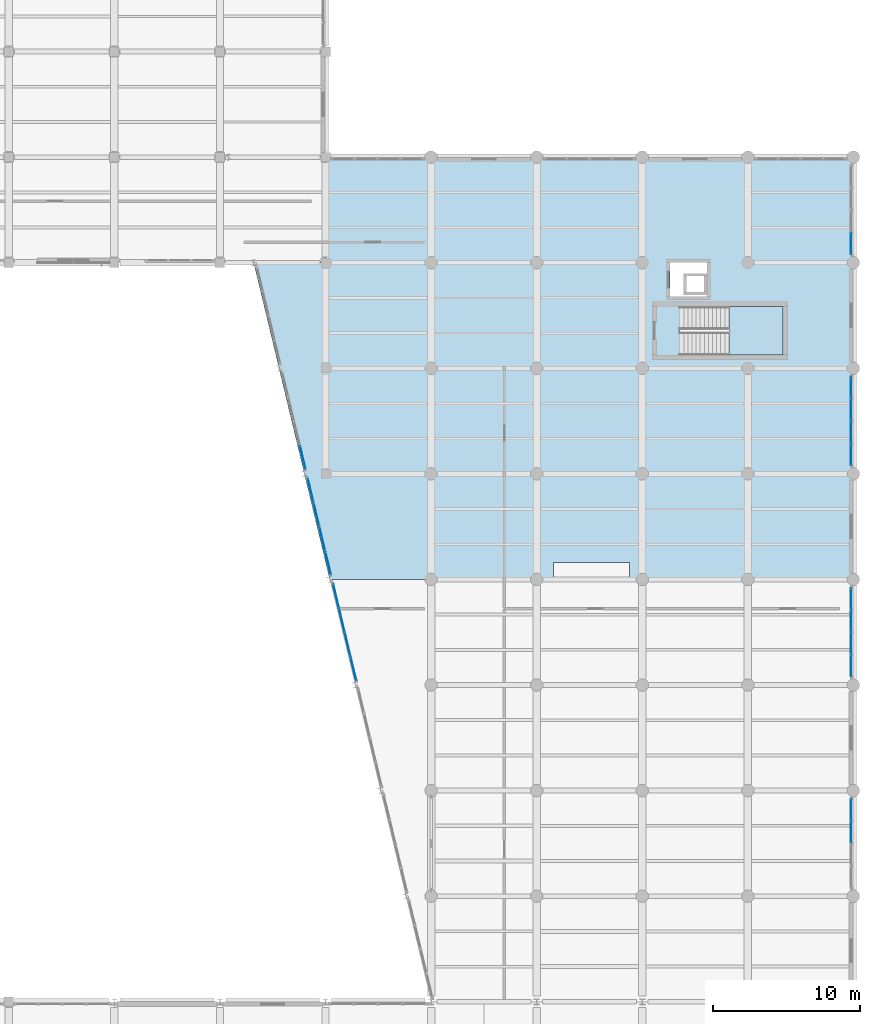
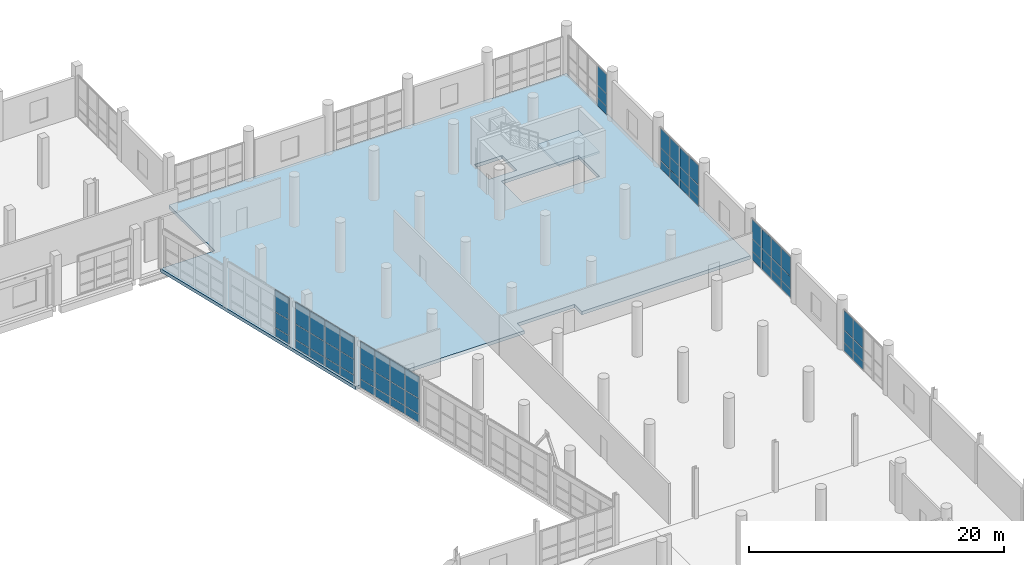
# One storey, part 86 of 127: 60 plates, 2 slabs, 8 elements without a shape of their own.
"""IFC4 building model written with IfcOpenShell, lengths in metres."""

from ifc_helpers import new_model, si_unit, direction, frame, origin, origin_2d, place, context, subcontext, project, spatial, polyline, rectangle, outline, extrude, material, layer, layer_set, type_object, element, aggregate, save


model = new_model("IFC4")

# Units and contexts
model_context = context("Model", 3, precision=1e-05, world=origin(), true_north=direction((0.0, 1.0)))
body_context = subcontext(model_context, "Body", "Model", "MODEL_VIEW")
ifc_project = project(units=[si_unit("LENGTHUNIT", "METRE"), si_unit("AREAUNIT", "SQUARE_METRE"), si_unit("VOLUMEUNIT", "CUBIC_METRE"), si_unit("PLANEANGLEUNIT", "RADIAN"), si_unit("MASSUNIT", "GRAM", prefix="KILO")], contexts=[model_context])

# Site, building, storey
site_placement = place(None, origin())
site = spatial("IfcSite", under=ifc_project, at=site_placement, CompositionType="ELEMENT")
building_placement = place(site_placement, origin())
building = spatial("IfcBuilding", under=site, at=building_placement, Name="Kalmorath City Hall", CompositionType="ELEMENT")
storey_placement = place(building_placement, frame((0.0, 0.0, 5.39990234375)))
storey = spatial("IfcBuildingStorey", under=building, at=storey_placement, Name="L01", CompositionType="ELEMENT", Elevation=5.39990234375)

# Slab
ifc_material_1 = material(Name="Concrete C40/50", Category="concrete")
ifc_layer_1 = layer(ifc_material_1, 0.320068359375)
ifc_layer_set_1 = layer_set([ifc_layer_1], Name="Concrete C40/50")
slab_type_1 = type_object("IfcSlabType", Name="Concrete heavy assembly floor slab 320", PredefinedType="FLOOR", material=ifc_layer_set_1)
slab_1_placement = place(storey_placement, frame((0.0, 0.0, -0.31982421875)))
element("IfcSlab", 1, at=slab_1_placement, inside=storey, type_object=slab_type_1, Name="L01 Members Library Pavilion slab FS3-2", PredefinedType="FLOOR", context=body_context, shape_type="SweptSolid", body=[
    extrude(outline(polyline([(165.60009765625, 100.800048828125), (165.60009765625, 72.0), (150.3427734375, 72.0), (150.3427734375, 73.14990234375), (145.142822265625, 73.14990234375), (145.142822265625, 72.0), (129.885498046875, 72.0), (124.69970703125, 93.60009765625), (129.60009765625, 93.60009765625), (129.60009765625, 100.800048828125), (165.60009765625, 100.800048828125)]), holes=[polyline([(153.7900390625, 87.300048828125), (160.800048828125, 87.300048828125), (160.800048828125, 90.60009765625), (153.7900390625, 90.60009765625), (153.7900390625, 87.300048828125)]), polyline([(153.10009765625, 93.60009765625), (153.10009765625, 91.300048828125), (155.60009765625, 91.300048828125), (155.60009765625, 93.60009765625), (153.10009765625, 93.60009765625)])]), origin(), (0.0, 0.0, 1.0), 0.31982421875),
])

# Stair, slab
ifc_material_2 = material(Name="Concrete C40/50", Category="concrete")
stair_type = type_object("IfcStairType", Name="Dogleg concrete exit stair 26R x 185mm W1550", PredefinedType="HALF_TURN_STAIR", material=ifc_material_2)
stair_placement = place(storey_placement, origin())
stair = element("IfcStair", 2, at=stair_placement, inside=storey, type_object=stair_type, Name="L01 Protected exit stair ST-6", PredefinedType="HALF_TURN_STAIR")
ifc_material_3 = material(Name="Concrete C40/50", Category="concrete")
ifc_layer_2 = layer(ifc_material_3, 0.199951171875)
ifc_layer_set_2 = layer_set([ifc_layer_2], Name="Concrete C40/50")
slab_type_2 = type_object("IfcSlabType", Name="Concrete stair half-landing slab 200", PredefinedType="LANDING", material=ifc_layer_set_2)
slab_2_placement = place(storey_placement, frame((0.0, 0.0, 2.2001953125)))
slab_2 = element("IfcSlab", 3, at=slab_2_placement, type_object=slab_type_2, Name="ST-6 landing 1", PredefinedType="LANDING", context=body_context, shape_type="SweptSolid", body=[
    extrude(outline(polyline([(157.110107421875, 87.300048828125), (160.800048828125, 87.300048828125), (160.800048828125, 90.60009765625), (157.110107421875, 90.60009765625), (157.110107421875, 87.300048828125)])), origin(), (0.0, 0.0, 1.0), 0.199951171875),
])
aggregate(stair, [slab_2])

# Curtain wall, plates
ifc_material_4 = material(Name="Anodised aluminium and laminated glass", Category="aluminium")
curtain_wall_type_1 = type_object("IfcCurtainWallType", Name="Unitised hurricane curtain wall 6170x3976 M1650", PredefinedType="NOTDEFINED", material=ifc_material_4)
curtain_wall_1_placement = place(storey_placement, origin())
curtain_wall_1 = element("IfcCurtainWall", 4, at=curtain_wall_1_placement, inside=storey, type_object=curtain_wall_type_1, Name="L01 curtain wall CW-62X40M16 #63", PredefinedType="NOTDEFINED")
ifc_material_5 = material(Name="Hurricane laminated low-E glass", Category="glass")
ifc_layer_3 = layer(ifc_material_5, 0.035888671875)
ifc_layer_set_3 = layer_set([ifc_layer_3], Name="Hurricane laminated low-E glass")
plate_type = type_object("IfcPlateType", Name="Library acoustic low-E glazed panel 36", PredefinedType="CURTAIN_PANEL", material=ifc_layer_set_3)
plate_1_placement = place(storey_placement, frame((165.43994140625, 94.905029296875, 0.06005859375), z_axis=(0.0, 0.0, 1.0), x_axis=(0.0, -1.0, 0.0)))
plate_1 = element("IfcPlate", 5, at=plate_1_placement, type_object=plate_type, Name="CW-62X40M16 panel 4.1", PredefinedType="CURTAIN_PANEL", context=body_context, shape_type="SweptSolid", body=[
    extrude(rectangle(XDim=1.429931640625, YDim=0.035888671875, at=origin_2d()), origin(), (0.0, 0.0, 1.0), 0.760009765625),
])
plate_2_placement = place(storey_placement, frame((165.43994140625, 94.905029296875, 0.8798828125), z_axis=(0.0, 0.0, 1.0), x_axis=(0.0, -1.0, 0.0)))
plate_2 = element("IfcPlate", 6, at=plate_2_placement, type_object=plate_type, Name="CW-62X40M16 panel 4.2", PredefinedType="CURTAIN_PANEL", context=body_context, shape_type="SweptSolid", body=[
    extrude(rectangle(XDim=1.429931640625, YDim=0.035888671875, at=origin_2d()), origin(), (0.0, 0.0, 1.0), 1.157958984375),
])
plate_3_placement = place(storey_placement, frame((165.43994140625, 94.905029296875, 2.09814453125), z_axis=(0.0, 0.0, 1.0), x_axis=(0.0, -1.0, 0.0)))
plate_3 = element("IfcPlate", 7, at=plate_3_placement, type_object=plate_type, Name="CW-62X40M16 panel 4.3", PredefinedType="CURTAIN_PANEL", context=body_context, shape_type="SweptSolid", body=[
    extrude(rectangle(XDim=1.429931640625, YDim=0.035888671875, at=origin_2d()), origin(), (0.0, 0.0, 1.0), 1.818115234375),
])
aggregate(curtain_wall_1, [plate_1, plate_2, plate_3])

curtain_wall_2_placement = place(storey_placement, origin())
curtain_wall_2 = element("IfcCurtainWall", 8, at=curtain_wall_2_placement, inside=storey, type_object=curtain_wall_type_1, Name="L01 curtain wall CW-62X40M16 #64", PredefinedType="NOTDEFINED")
plate_4_placement = place(storey_placement, frame((165.43994140625, 85.094970703125, 0.06005859375), z_axis=(0.0, 0.0, 1.0), x_axis=(0.0, -1.0, 0.0)))
plate_4 = element("IfcPlate", 9, at=plate_4_placement, type_object=plate_type, Name="CW-62X40M16 panel 1.1", PredefinedType="CURTAIN_PANEL", context=body_context, shape_type="SweptSolid", body=[
    extrude(rectangle(XDim=1.429931640625, YDim=0.035888671875, at=origin_2d()), origin(), (0.0, 0.0, 1.0), 0.760009765625),
])
plate_5_placement = place(storey_placement, frame((165.43994140625, 85.094970703125, 0.8798828125), z_axis=(0.0, 0.0, 1.0), x_axis=(0.0, -1.0, 0.0)))
plate_5 = element("IfcPlate", 10, at=plate_5_placement, type_object=plate_type, Name="CW-62X40M16 panel 1.2", PredefinedType="CURTAIN_PANEL", context=body_context, shape_type="SweptSolid", body=[
    extrude(rectangle(XDim=1.429931640625, YDim=0.035888671875, at=origin_2d()), origin(), (0.0, 0.0, 1.0), 1.157958984375),
])
plate_6_placement = place(storey_placement, frame((165.43994140625, 85.094970703125, 2.09814453125), z_axis=(0.0, 0.0, 1.0), x_axis=(0.0, -1.0, 0.0)))
plate_6 = element("IfcPlate", 11, at=plate_6_placement, type_object=plate_type, Name="CW-62X40M16 panel 1.3", PredefinedType="CURTAIN_PANEL", context=body_context, shape_type="SweptSolid", body=[
    extrude(rectangle(XDim=1.429931640625, YDim=0.035888671875, at=origin_2d()), origin(), (0.0, 0.0, 1.0), 1.818115234375),
])
plate_7_placement = place(storey_placement, frame((165.43994140625, 83.5712890625, 0.06005859375), z_axis=(0.0, 0.0, 1.0), x_axis=(0.0, -1.0, 0.0)))
plate_7 = element("IfcPlate", 12, at=plate_7_placement, type_object=plate_type, Name="CW-62X40M16 panel 2.1", PredefinedType="CURTAIN_PANEL", context=body_context, shape_type="SweptSolid", body=[
    extrude(rectangle(XDim=1.467529296875, YDim=0.035888671875, at=origin_2d()), origin(), (0.0, 0.0, 1.0), 0.760009765625),
])
plate_8_placement = place(storey_placement, frame((165.43994140625, 83.5712890625, 0.8798828125), z_axis=(0.0, 0.0, 1.0), x_axis=(0.0, -1.0, 0.0)))
plate_8 = element("IfcPlate", 13, at=plate_8_placement, type_object=plate_type, Name="CW-62X40M16 panel 2.2", PredefinedType="CURTAIN_PANEL", context=body_context, shape_type="SweptSolid", body=[
    extrude(rectangle(XDim=1.467529296875, YDim=0.035888671875, at=origin_2d()), origin(), (0.0, 0.0, 1.0), 1.157958984375),
])
plate_9_placement = place(storey_placement, frame((165.43994140625, 83.5712890625, 2.09814453125), z_axis=(0.0, 0.0, 1.0), x_axis=(0.0, -1.0, 0.0)))
plate_9 = element("IfcPlate", 14, at=plate_9_placement, type_object=plate_type, Name="CW-62X40M16 panel 2.3", PredefinedType="CURTAIN_PANEL", context=body_context, shape_type="SweptSolid", body=[
    extrude(rectangle(XDim=1.467529296875, YDim=0.035888671875, at=origin_2d()), origin(), (0.0, 0.0, 1.0), 1.818115234375),
])
plate_10_placement = place(storey_placement, frame((165.43994140625, 82.02880859375, 0.06005859375), z_axis=(0.0, 0.0, 1.0), x_axis=(0.0, -1.0, 0.0)))
plate_10 = element("IfcPlate", 15, at=plate_10_placement, type_object=plate_type, Name="CW-62X40M16 panel 3.1", PredefinedType="CURTAIN_PANEL", context=body_context, shape_type="SweptSolid", body=[
    extrude(rectangle(XDim=1.467529296875, YDim=0.035888671875, at=origin_2d()), origin(), (0.0, 0.0, 1.0), 0.760009765625),
])
plate_11_placement = place(storey_placement, frame((165.43994140625, 82.02880859375, 0.8798828125), z_axis=(0.0, 0.0, 1.0), x_axis=(0.0, -1.0, 0.0)))
plate_11 = element("IfcPlate", 16, at=plate_11_placement, type_object=plate_type, Name="CW-62X40M16 panel 3.2", PredefinedType="CURTAIN_PANEL", context=body_context, shape_type="SweptSolid", body=[
    extrude(rectangle(XDim=1.467529296875, YDim=0.035888671875, at=origin_2d()), origin(), (0.0, 0.0, 1.0), 1.157958984375),
])
plate_12_placement = place(storey_placement, frame((165.43994140625, 82.02880859375, 2.09814453125), z_axis=(0.0, 0.0, 1.0), x_axis=(0.0, -1.0, 0.0)))
plate_12 = element("IfcPlate", 17, at=plate_12_placement, type_object=plate_type, Name="CW-62X40M16 panel 3.3", PredefinedType="CURTAIN_PANEL", context=body_context, shape_type="SweptSolid", body=[
    extrude(rectangle(XDim=1.467529296875, YDim=0.035888671875, at=origin_2d()), origin(), (0.0, 0.0, 1.0), 1.818115234375),
])
plate_13_placement = place(storey_placement, frame((165.43994140625, 80.5048828125, 0.06005859375), z_axis=(0.0, 0.0, 1.0), x_axis=(0.0, -1.0, 0.0)))
plate_13 = element("IfcPlate", 18, at=plate_13_placement, type_object=plate_type, Name="CW-62X40M16 panel 4.1", PredefinedType="CURTAIN_PANEL", context=body_context, shape_type="SweptSolid", body=[
    extrude(rectangle(XDim=1.429931640625, YDim=0.035888671875, at=origin_2d()), origin(), (0.0, 0.0, 1.0), 0.760009765625),
])
plate_14_placement = place(storey_placement, frame((165.43994140625, 80.5048828125, 0.8798828125), z_axis=(0.0, 0.0, 1.0), x_axis=(0.0, -1.0, 0.0)))
plate_14 = element("IfcPlate", 19, at=plate_14_placement, type_object=plate_type, Name="CW-62X40M16 panel 4.2", PredefinedType="CURTAIN_PANEL", context=body_context, shape_type="SweptSolid", body=[
    extrude(rectangle(XDim=1.429931640625, YDim=0.035888671875, at=origin_2d()), origin(), (0.0, 0.0, 1.0), 1.157958984375),
])
plate_15_placement = place(storey_placement, frame((165.43994140625, 80.5048828125, 2.09814453125), z_axis=(0.0, 0.0, 1.0), x_axis=(0.0, -1.0, 0.0)))
plate_15 = element("IfcPlate", 20, at=plate_15_placement, type_object=plate_type, Name="CW-62X40M16 panel 4.3", PredefinedType="CURTAIN_PANEL", context=body_context, shape_type="SweptSolid", body=[
    extrude(rectangle(XDim=1.429931640625, YDim=0.035888671875, at=origin_2d()), origin(), (0.0, 0.0, 1.0), 1.818115234375),
])
aggregate(curtain_wall_2, [plate_4, plate_5, plate_6, plate_7, plate_8, plate_9, plate_10, plate_11, plate_12, plate_13, plate_14, plate_15])

curtain_wall_3_placement = place(storey_placement, origin())
curtain_wall_3 = element("IfcCurtainWall", 21, at=curtain_wall_3_placement, inside=storey, type_object=curtain_wall_type_1, Name="L01 curtain wall CW-62X40M16 #65", PredefinedType="NOTDEFINED")
plate_16_placement = place(storey_placement, frame((165.43994140625, 70.695068359375, 0.06005859375), z_axis=(0.0, 0.0, 1.0), x_axis=(0.0, -1.0, 0.0)))
plate_16 = element("IfcPlate", 22, at=plate_16_placement, type_object=plate_type, Name="CW-62X40M16 panel 1.1", PredefinedType="CURTAIN_PANEL", context=body_context, shape_type="SweptSolid", body=[
    extrude(rectangle(XDim=1.429931640625, YDim=0.035888671875, at=origin_2d()), origin(), (0.0, 0.0, 1.0), 0.760009765625),
])
plate_17_placement = place(storey_placement, frame((165.43994140625, 70.695068359375, 0.8798828125), z_axis=(0.0, 0.0, 1.0), x_axis=(0.0, -1.0, 0.0)))
plate_17 = element("IfcPlate", 23, at=plate_17_placement, type_object=plate_type, Name="CW-62X40M16 panel 1.2", PredefinedType="CURTAIN_PANEL", context=body_context, shape_type="SweptSolid", body=[
    extrude(rectangle(XDim=1.429931640625, YDim=0.035888671875, at=origin_2d()), origin(), (0.0, 0.0, 1.0), 1.157958984375),
])
plate_18_placement = place(storey_placement, frame((165.43994140625, 70.695068359375, 2.09814453125), z_axis=(0.0, 0.0, 1.0), x_axis=(0.0, -1.0, 0.0)))
plate_18 = element("IfcPlate", 24, at=plate_18_placement, type_object=plate_type, Name="CW-62X40M16 panel 1.3", PredefinedType="CURTAIN_PANEL", context=body_context, shape_type="SweptSolid", body=[
    extrude(rectangle(XDim=1.429931640625, YDim=0.035888671875, at=origin_2d()), origin(), (0.0, 0.0, 1.0), 1.818115234375),
])
plate_19_placement = place(storey_placement, frame((165.43994140625, 69.171142578125, 0.06005859375), z_axis=(0.0, 0.0, 1.0), x_axis=(0.0, -1.0, 0.0)))
plate_19 = element("IfcPlate", 25, at=plate_19_placement, type_object=plate_type, Name="CW-62X40M16 panel 2.1", PredefinedType="CURTAIN_PANEL", context=body_context, shape_type="SweptSolid", body=[
    extrude(rectangle(XDim=1.467529296875, YDim=0.035888671875, at=origin_2d()), origin(), (0.0, 0.0, 1.0), 0.760009765625),
])
plate_20_placement = place(storey_placement, frame((165.43994140625, 69.171142578125, 0.8798828125), z_axis=(0.0, 0.0, 1.0), x_axis=(0.0, -1.0, 0.0)))
plate_20 = element("IfcPlate", 26, at=plate_20_placement, type_object=plate_type, Name="CW-62X40M16 panel 2.2", PredefinedType="CURTAIN_PANEL", context=body_context, shape_type="SweptSolid", body=[
    extrude(rectangle(XDim=1.467529296875, YDim=0.035888671875, at=origin_2d()), origin(), (0.0, 0.0, 1.0), 1.157958984375),
])
plate_21_placement = place(storey_placement, frame((165.43994140625, 69.171142578125, 2.09814453125), z_axis=(0.0, 0.0, 1.0), x_axis=(0.0, -1.0, 0.0)))
plate_21 = element("IfcPlate", 27, at=plate_21_placement, type_object=plate_type, Name="CW-62X40M16 panel 2.3", PredefinedType="CURTAIN_PANEL", context=body_context, shape_type="SweptSolid", body=[
    extrude(rectangle(XDim=1.467529296875, YDim=0.035888671875, at=origin_2d()), origin(), (0.0, 0.0, 1.0), 1.818115234375),
])
plate_22_placement = place(storey_placement, frame((165.43994140625, 67.628662109375, 0.06005859375), z_axis=(0.0, 0.0, 1.0), x_axis=(0.0, -1.0, 0.0)))
plate_22 = element("IfcPlate", 28, at=plate_22_placement, type_object=plate_type, Name="CW-62X40M16 panel 3.1", PredefinedType="CURTAIN_PANEL", context=body_context, shape_type="SweptSolid", body=[
    extrude(rectangle(XDim=1.467529296875, YDim=0.035888671875, at=origin_2d()), origin(), (0.0, 0.0, 1.0), 0.760009765625),
])
plate_23_placement = place(storey_placement, frame((165.43994140625, 67.628662109375, 0.8798828125), z_axis=(0.0, 0.0, 1.0), x_axis=(0.0, -1.0, 0.0)))
plate_23 = element("IfcPlate", 29, at=plate_23_placement, type_object=plate_type, Name="CW-62X40M16 panel 3.2", PredefinedType="CURTAIN_PANEL", context=body_context, shape_type="SweptSolid", body=[
    extrude(rectangle(XDim=1.467529296875, YDim=0.035888671875, at=origin_2d()), origin(), (0.0, 0.0, 1.0), 1.157958984375),
])
plate_24_placement = place(storey_placement, frame((165.43994140625, 67.628662109375, 2.09814453125), z_axis=(0.0, 0.0, 1.0), x_axis=(0.0, -1.0, 0.0)))
plate_24 = element("IfcPlate", 30, at=plate_24_placement, type_object=plate_type, Name="CW-62X40M16 panel 3.3", PredefinedType="CURTAIN_PANEL", context=body_context, shape_type="SweptSolid", body=[
    extrude(rectangle(XDim=1.467529296875, YDim=0.035888671875, at=origin_2d()), origin(), (0.0, 0.0, 1.0), 1.818115234375),
])
plate_25_placement = place(storey_placement, frame((165.43994140625, 66.10498046875, 0.06005859375), z_axis=(0.0, 0.0, 1.0), x_axis=(0.0, -1.0, 0.0)))
plate_25 = element("IfcPlate", 31, at=plate_25_placement, type_object=plate_type, Name="CW-62X40M16 panel 4.1", PredefinedType="CURTAIN_PANEL", context=body_context, shape_type="SweptSolid", body=[
    extrude(rectangle(XDim=1.429931640625, YDim=0.035888671875, at=origin_2d()), origin(), (0.0, 0.0, 1.0), 0.760009765625),
])
plate_26_placement = place(storey_placement, frame((165.43994140625, 66.10498046875, 0.8798828125), z_axis=(0.0, 0.0, 1.0), x_axis=(0.0, -1.0, 0.0)))
plate_26 = element("IfcPlate", 32, at=plate_26_placement, type_object=plate_type, Name="CW-62X40M16 panel 4.2", PredefinedType="CURTAIN_PANEL", context=body_context, shape_type="SweptSolid", body=[
    extrude(rectangle(XDim=1.429931640625, YDim=0.035888671875, at=origin_2d()), origin(), (0.0, 0.0, 1.0), 1.157958984375),
])
plate_27_placement = place(storey_placement, frame((165.43994140625, 66.10498046875, 2.09814453125), z_axis=(0.0, 0.0, 1.0), x_axis=(0.0, -1.0, 0.0)))
plate_27 = element("IfcPlate", 33, at=plate_27_placement, type_object=plate_type, Name="CW-62X40M16 panel 4.3", PredefinedType="CURTAIN_PANEL", context=body_context, shape_type="SweptSolid", body=[
    extrude(rectangle(XDim=1.429931640625, YDim=0.035888671875, at=origin_2d()), origin(), (0.0, 0.0, 1.0), 1.818115234375),
])
aggregate(curtain_wall_3, [plate_16, plate_17, plate_18, plate_19, plate_20, plate_21, plate_22, plate_23, plate_24, plate_25, plate_26, plate_27])

curtain_wall_4_placement = place(storey_placement, origin())
curtain_wall_4 = element("IfcCurtainWall", 34, at=curtain_wall_4_placement, inside=storey, type_object=curtain_wall_type_1, Name="L01 curtain wall CW-62X40M16 #66", PredefinedType="NOTDEFINED")
plate_28_placement = place(storey_placement, frame((165.43994140625, 56.294921875, 0.06005859375), z_axis=(0.0, 0.0, 1.0), x_axis=(0.0, -1.0, 0.0)))
plate_28 = element("IfcPlate", 35, at=plate_28_placement, type_object=plate_type, Name="CW-62X40M16 panel 1.1", PredefinedType="CURTAIN_PANEL", context=body_context, shape_type="SweptSolid", body=[
    extrude(rectangle(XDim=1.429931640625, YDim=0.035888671875, at=origin_2d()), origin(), (0.0, 0.0, 1.0), 0.760009765625),
])
plate_29_placement = place(storey_placement, frame((165.43994140625, 56.294921875, 0.8798828125), z_axis=(0.0, 0.0, 1.0), x_axis=(0.0, -1.0, 0.0)))
plate_29 = element("IfcPlate", 36, at=plate_29_placement, type_object=plate_type, Name="CW-62X40M16 panel 1.2", PredefinedType="CURTAIN_PANEL", context=body_context, shape_type="SweptSolid", body=[
    extrude(rectangle(XDim=1.429931640625, YDim=0.035888671875, at=origin_2d()), origin(), (0.0, 0.0, 1.0), 1.157958984375),
])
plate_30_placement = place(storey_placement, frame((165.43994140625, 56.294921875, 2.09814453125), z_axis=(0.0, 0.0, 1.0), x_axis=(0.0, -1.0, 0.0)))
plate_30 = element("IfcPlate", 37, at=plate_30_placement, type_object=plate_type, Name="CW-62X40M16 panel 1.3", PredefinedType="CURTAIN_PANEL", context=body_context, shape_type="SweptSolid", body=[
    extrude(rectangle(XDim=1.429931640625, YDim=0.035888671875, at=origin_2d()), origin(), (0.0, 0.0, 1.0), 1.818115234375),
])
plate_31_placement = place(storey_placement, frame((165.43994140625, 54.771240234375, 0.06005859375), z_axis=(0.0, 0.0, 1.0), x_axis=(0.0, -1.0, 0.0)))
plate_31 = element("IfcPlate", 38, at=plate_31_placement, type_object=plate_type, Name="CW-62X40M16 panel 2.1", PredefinedType="CURTAIN_PANEL", context=body_context, shape_type="SweptSolid", body=[
    extrude(rectangle(XDim=1.467529296875, YDim=0.035888671875, at=origin_2d()), origin(), (0.0, 0.0, 1.0), 0.760009765625),
])
plate_32_placement = place(storey_placement, frame((165.43994140625, 54.771240234375, 0.8798828125), z_axis=(0.0, 0.0, 1.0), x_axis=(0.0, -1.0, 0.0)))
plate_32 = element("IfcPlate", 39, at=plate_32_placement, type_object=plate_type, Name="CW-62X40M16 panel 2.2", PredefinedType="CURTAIN_PANEL", context=body_context, shape_type="SweptSolid", body=[
    extrude(rectangle(XDim=1.467529296875, YDim=0.035888671875, at=origin_2d()), origin(), (0.0, 0.0, 1.0), 1.157958984375),
])
plate_33_placement = place(storey_placement, frame((165.43994140625, 54.771240234375, 2.09814453125), z_axis=(0.0, 0.0, 1.0), x_axis=(0.0, -1.0, 0.0)))
plate_33 = element("IfcPlate", 40, at=plate_33_placement, type_object=plate_type, Name="CW-62X40M16 panel 2.3", PredefinedType="CURTAIN_PANEL", context=body_context, shape_type="SweptSolid", body=[
    extrude(rectangle(XDim=1.467529296875, YDim=0.035888671875, at=origin_2d()), origin(), (0.0, 0.0, 1.0), 1.818115234375),
])
aggregate(curtain_wall_4, [plate_28, plate_29, plate_30, plate_31, plate_32, plate_33])

ifc_material_6 = material(Name="Anodised aluminium and laminated glass", Category="aluminium")
curtain_wall_type_2 = type_object("IfcCurtainWallType", Name="Unitised hurricane curtain wall 6849x4520 M1650", PredefinedType="NOTDEFINED", material=ifc_material_6)
curtain_wall_5_placement = place(storey_placement, origin())
curtain_wall_5 = element("IfcCurtainWall", 41, at=curtain_wall_5_placement, inside=storey, type_object=curtain_wall_type_2, Name="L01 curtain wall CW-68X45M16 #97", PredefinedType="NOTDEFINED")
plate_34_placement = place(storey_placement, frame((131.509521484375, 65.920654296875, 0.06005859375), z_axis=(0.0, 0.0, 1.0), x_axis=(-0.233441976856, 0.972370733538, 0.0)))
plate_34 = element("IfcPlate", 42, at=plate_34_placement, type_object=plate_type, Name="CW-68X45M16 panel 1.1", PredefinedType="CURTAIN_PANEL", context=body_context, shape_type="SweptSolid", body=[
    extrude(rectangle(XDim=1.599853515625, YDim=0.035888671875, at=origin_2d()), origin(), (0.0, 0.0, 1.0), 0.760009765625),
])
plate_35_placement = place(storey_placement, frame((131.509521484375, 65.920654296875, 0.880126953125), z_axis=(0.0, 0.0, 1.0), x_axis=(-0.233441976856, 0.972370733538, 0.0)))
plate_35 = element("IfcPlate", 43, at=plate_35_placement, type_object=plate_type, Name="CW-68X45M16 panel 1.2", PredefinedType="CURTAIN_PANEL", context=body_context, shape_type="SweptSolid", body=[
    extrude(rectangle(XDim=1.599853515625, YDim=0.035888671875, at=origin_2d()), origin(), (0.0, 0.0, 1.0), 1.43994140625),
])
plate_36_placement = place(storey_placement, frame((131.509521484375, 65.920654296875, 2.380126953125), z_axis=(0.0, 0.0, 1.0), x_axis=(-0.233441976856, 0.972370733538, 0.0)))
plate_36 = element("IfcPlate", 44, at=plate_36_placement, type_object=plate_type, Name="CW-68X45M16 panel 1.3", PredefinedType="CURTAIN_PANEL", context=body_context, shape_type="SweptSolid", body=[
    extrude(rectangle(XDim=1.599853515625, YDim=0.035888671875, at=origin_2d()), origin(), (0.0, 0.0, 1.0), 2.080078125),
])
plate_37_placement = place(storey_placement, frame((131.1142578125, 67.5673828125, 0.06005859375), z_axis=(0.0, 0.0, 1.0), x_axis=(-0.233441976856, 0.972370733538, 0.0)))
plate_37 = element("IfcPlate", 45, at=plate_37_placement, type_object=plate_type, Name="CW-68X45M16 panel 2.1", PredefinedType="CURTAIN_PANEL", context=body_context, shape_type="SweptSolid", body=[
    extrude(rectangle(XDim=1.63720703125, YDim=0.035888671875, at=origin_2d()), origin(), (0.0, 0.0, 1.0), 0.760009765625),
])
plate_38_placement = place(storey_placement, frame((131.1142578125, 67.5673828125, 0.880126953125), z_axis=(0.0, 0.0, 1.0), x_axis=(-0.233441976856, 0.972370733538, 0.0)))
plate_38 = element("IfcPlate", 46, at=plate_38_placement, type_object=plate_type, Name="CW-68X45M16 panel 2.2", PredefinedType="CURTAIN_PANEL", context=body_context, shape_type="SweptSolid", body=[
    extrude(rectangle(XDim=1.63720703125, YDim=0.035888671875, at=origin_2d()), origin(), (0.0, 0.0, 1.0), 1.43994140625),
])
plate_39_placement = place(storey_placement, frame((131.1142578125, 67.5673828125, 2.380126953125), z_axis=(0.0, 0.0, 1.0), x_axis=(-0.233441976856, 0.972370733538, 0.0)))
plate_39 = element("IfcPlate", 47, at=plate_39_placement, type_object=plate_type, Name="CW-68X45M16 panel 2.3", PredefinedType="CURTAIN_PANEL", context=body_context, shape_type="SweptSolid", body=[
    extrude(rectangle(XDim=1.63720703125, YDim=0.035888671875, at=origin_2d()), origin(), (0.0, 0.0, 1.0), 2.080078125),
])
plate_40_placement = place(storey_placement, frame((130.714599609375, 69.232421875, 0.06005859375), z_axis=(0.0, 0.0, 1.0), x_axis=(-0.233441976856, 0.972370733538, 0.0)))
plate_40 = element("IfcPlate", 48, at=plate_40_placement, type_object=plate_type, Name="CW-68X45M16 panel 3.1", PredefinedType="CURTAIN_PANEL", context=body_context, shape_type="SweptSolid", body=[
    extrude(rectangle(XDim=1.63720703125, YDim=0.035888671875, at=origin_2d()), origin(), (0.0, 0.0, 1.0), 0.760009765625),
])
plate_41_placement = place(storey_placement, frame((130.714599609375, 69.232421875, 0.880126953125), z_axis=(0.0, 0.0, 1.0), x_axis=(-0.233441976856, 0.972370733538, 0.0)))
plate_41 = element("IfcPlate", 49, at=plate_41_placement, type_object=plate_type, Name="CW-68X45M16 panel 3.2", PredefinedType="CURTAIN_PANEL", context=body_context, shape_type="SweptSolid", body=[
    extrude(rectangle(XDim=1.63720703125, YDim=0.035888671875, at=origin_2d()), origin(), (0.0, 0.0, 1.0), 1.43994140625),
])
plate_42_placement = place(storey_placement, frame((130.714599609375, 69.232421875, 2.380126953125), z_axis=(0.0, 0.0, 1.0), x_axis=(-0.233441976856, 0.972370733538, 0.0)))
plate_42 = element("IfcPlate", 50, at=plate_42_placement, type_object=plate_type, Name="CW-68X45M16 panel 3.3", PredefinedType="CURTAIN_PANEL", context=body_context, shape_type="SweptSolid", body=[
    extrude(rectangle(XDim=1.63720703125, YDim=0.035888671875, at=origin_2d()), origin(), (0.0, 0.0, 1.0), 2.080078125),
])
plate_43_placement = place(storey_placement, frame((130.319091796875, 70.879150390625, 0.06005859375), z_axis=(0.0, 0.0, 1.0), x_axis=(-0.233441976856, 0.972370733538, 0.0)))
plate_43 = element("IfcPlate", 51, at=plate_43_placement, type_object=plate_type, Name="CW-68X45M16 panel 4.1", PredefinedType="CURTAIN_PANEL", context=body_context, shape_type="SweptSolid", body=[
    extrude(rectangle(XDim=1.599853515625, YDim=0.035888671875, at=origin_2d()), origin(), (0.0, 0.0, 1.0), 0.760009765625),
])
plate_44_placement = place(storey_placement, frame((130.319091796875, 70.879150390625, 0.880126953125), z_axis=(0.0, 0.0, 1.0), x_axis=(-0.233441976856, 0.972370733538, 0.0)))
plate_44 = element("IfcPlate", 52, at=plate_44_placement, type_object=plate_type, Name="CW-68X45M16 panel 4.2", PredefinedType="CURTAIN_PANEL", context=body_context, shape_type="SweptSolid", body=[
    extrude(rectangle(XDim=1.599853515625, YDim=0.035888671875, at=origin_2d()), origin(), (0.0, 0.0, 1.0), 1.43994140625),
])
plate_45_placement = place(storey_placement, frame((130.319091796875, 70.879150390625, 2.380126953125), z_axis=(0.0, 0.0, 1.0), x_axis=(-0.233441976856, 0.972370733538, 0.0)))
plate_45 = element("IfcPlate", 53, at=plate_45_placement, type_object=plate_type, Name="CW-68X45M16 panel 4.3", PredefinedType="CURTAIN_PANEL", context=body_context, shape_type="SweptSolid", body=[
    extrude(rectangle(XDim=1.599853515625, YDim=0.035888671875, at=origin_2d()), origin(), (0.0, 0.0, 1.0), 2.080078125),
])
aggregate(curtain_wall_5, [plate_34, plate_35, plate_36, plate_37, plate_38, plate_39, plate_40, plate_41, plate_42, plate_43, plate_44, plate_45])

curtain_wall_6_placement = place(storey_placement, origin())
curtain_wall_6 = element("IfcCurtainWall", 54, at=curtain_wall_6_placement, inside=storey, type_object=curtain_wall_type_2, Name="L01 curtain wall CW-68X45M16 #98", PredefinedType="NOTDEFINED")
plate_46_placement = place(storey_placement, frame((129.781005859375, 73.120849609375, 0.06005859375), z_axis=(0.0, 0.0, 1.0), x_axis=(-0.233455781305, 0.97236741933, 0.0)))
plate_46 = element("IfcPlate", 55, at=plate_46_placement, type_object=plate_type, Name="CW-68X45M16 panel 1.1", PredefinedType="CURTAIN_PANEL", context=body_context, shape_type="SweptSolid", body=[
    extrude(rectangle(XDim=1.599853515625, YDim=0.035888671875, at=origin_2d()), origin(), (0.0, 0.0, 1.0), 0.760009765625),
])
plate_47_placement = place(storey_placement, frame((129.781005859375, 73.120849609375, 0.880126953125), z_axis=(0.0, 0.0, 1.0), x_axis=(-0.233455781305, 0.97236741933, 0.0)))
plate_47 = element("IfcPlate", 56, at=plate_47_placement, type_object=plate_type, Name="CW-68X45M16 panel 1.2", PredefinedType="CURTAIN_PANEL", context=body_context, shape_type="SweptSolid", body=[
    extrude(rectangle(XDim=1.599853515625, YDim=0.035888671875, at=origin_2d()), origin(), (0.0, 0.0, 1.0), 1.43994140625),
])
plate_48_placement = place(storey_placement, frame((129.781005859375, 73.120849609375, 2.380126953125), z_axis=(0.0, 0.0, 1.0), x_axis=(-0.233455781305, 0.97236741933, 0.0)))
plate_48 = element("IfcPlate", 57, at=plate_48_placement, type_object=plate_type, Name="CW-68X45M16 panel 1.3", PredefinedType="CURTAIN_PANEL", context=body_context, shape_type="SweptSolid", body=[
    extrude(rectangle(XDim=1.599853515625, YDim=0.035888671875, at=origin_2d()), origin(), (0.0, 0.0, 1.0), 2.080078125),
])
plate_49_placement = place(storey_placement, frame((129.385498046875, 74.767578125, 0.06005859375), z_axis=(0.0, 0.0, 1.0), x_axis=(-0.233455781305, 0.97236741933, 0.0)))
plate_49 = element("IfcPlate", 58, at=plate_49_placement, type_object=plate_type, Name="CW-68X45M16 panel 2.1", PredefinedType="CURTAIN_PANEL", context=body_context, shape_type="SweptSolid", body=[
    extrude(rectangle(XDim=1.63720703125, YDim=0.035888671875, at=origin_2d()), origin(), (0.0, 0.0, 1.0), 0.760009765625),
])
plate_50_placement = place(storey_placement, frame((129.385498046875, 74.767578125, 0.880126953125), z_axis=(0.0, 0.0, 1.0), x_axis=(-0.233455781305, 0.97236741933, 0.0)))
plate_50 = element("IfcPlate", 59, at=plate_50_placement, type_object=plate_type, Name="CW-68X45M16 panel 2.2", PredefinedType="CURTAIN_PANEL", context=body_context, shape_type="SweptSolid", body=[
    extrude(rectangle(XDim=1.63720703125, YDim=0.035888671875, at=origin_2d()), origin(), (0.0, 0.0, 1.0), 1.43994140625),
])
plate_51_placement = place(storey_placement, frame((129.385498046875, 74.767578125, 2.380126953125), z_axis=(0.0, 0.0, 1.0), x_axis=(-0.233455781305, 0.97236741933, 0.0)))
plate_51 = element("IfcPlate", 60, at=plate_51_placement, type_object=plate_type, Name="CW-68X45M16 panel 2.3", PredefinedType="CURTAIN_PANEL", context=body_context, shape_type="SweptSolid", body=[
    extrude(rectangle(XDim=1.63720703125, YDim=0.035888671875, at=origin_2d()), origin(), (0.0, 0.0, 1.0), 2.080078125),
])
plate_52_placement = place(storey_placement, frame((128.98583984375, 76.4326171875, 0.06005859375), z_axis=(0.0, 0.0, 1.0), x_axis=(-0.233455781305, 0.97236741933, 0.0)))
plate_52 = element("IfcPlate", 61, at=plate_52_placement, type_object=plate_type, Name="CW-68X45M16 panel 3.1", PredefinedType="CURTAIN_PANEL", context=body_context, shape_type="SweptSolid", body=[
    extrude(rectangle(XDim=1.63720703125, YDim=0.035888671875, at=origin_2d()), origin(), (0.0, 0.0, 1.0), 0.760009765625),
])
plate_53_placement = place(storey_placement, frame((128.98583984375, 76.4326171875, 0.880126953125), z_axis=(0.0, 0.0, 1.0), x_axis=(-0.233455781305, 0.97236741933, 0.0)))
plate_53 = element("IfcPlate", 62, at=plate_53_placement, type_object=plate_type, Name="CW-68X45M16 panel 3.2", PredefinedType="CURTAIN_PANEL", context=body_context, shape_type="SweptSolid", body=[
    extrude(rectangle(XDim=1.63720703125, YDim=0.035888671875, at=origin_2d()), origin(), (0.0, 0.0, 1.0), 1.43994140625),
])
plate_54_placement = place(storey_placement, frame((128.98583984375, 76.4326171875, 2.380126953125), z_axis=(0.0, 0.0, 1.0), x_axis=(-0.233455781305, 0.97236741933, 0.0)))
plate_54 = element("IfcPlate", 63, at=plate_54_placement, type_object=plate_type, Name="CW-68X45M16 panel 3.3", PredefinedType="CURTAIN_PANEL", context=body_context, shape_type="SweptSolid", body=[
    extrude(rectangle(XDim=1.63720703125, YDim=0.035888671875, at=origin_2d()), origin(), (0.0, 0.0, 1.0), 2.080078125),
])
plate_55_placement = place(storey_placement, frame((128.59033203125, 78.079345703125, 0.06005859375), z_axis=(0.0, 0.0, 1.0), x_axis=(-0.233455781305, 0.97236741933, 0.0)))
plate_55 = element("IfcPlate", 64, at=plate_55_placement, type_object=plate_type, Name="CW-68X45M16 panel 4.1", PredefinedType="CURTAIN_PANEL", context=body_context, shape_type="SweptSolid", body=[
    extrude(rectangle(XDim=1.599853515625, YDim=0.035888671875, at=origin_2d()), origin(), (0.0, 0.0, 1.0), 0.760009765625),
])
plate_56_placement = place(storey_placement, frame((128.59033203125, 78.079345703125, 0.880126953125), z_axis=(0.0, 0.0, 1.0), x_axis=(-0.233455781305, 0.97236741933, 0.0)))
plate_56 = element("IfcPlate", 65, at=plate_56_placement, type_object=plate_type, Name="CW-68X45M16 panel 4.2", PredefinedType="CURTAIN_PANEL", context=body_context, shape_type="SweptSolid", body=[
    extrude(rectangle(XDim=1.599853515625, YDim=0.035888671875, at=origin_2d()), origin(), (0.0, 0.0, 1.0), 1.43994140625),
])
plate_57_placement = place(storey_placement, frame((128.59033203125, 78.079345703125, 2.380126953125), z_axis=(0.0, 0.0, 1.0), x_axis=(-0.233455781305, 0.97236741933, 0.0)))
plate_57 = element("IfcPlate", 66, at=plate_57_placement, type_object=plate_type, Name="CW-68X45M16 panel 4.3", PredefinedType="CURTAIN_PANEL", context=body_context, shape_type="SweptSolid", body=[
    extrude(rectangle(XDim=1.599853515625, YDim=0.035888671875, at=origin_2d()), origin(), (0.0, 0.0, 1.0), 2.080078125),
])
aggregate(curtain_wall_6, [plate_46, plate_47, plate_48, plate_49, plate_50, plate_51, plate_52, plate_53, plate_54, plate_55, plate_56, plate_57])

curtain_wall_7_placement = place(storey_placement, origin())
curtain_wall_7 = element("IfcCurtainWall", 67, at=curtain_wall_7_placement, inside=storey, type_object=curtain_wall_type_2, Name="L01 curtain wall CW-68X45M16 #99", PredefinedType="NOTDEFINED")
plate_58_placement = place(storey_placement, frame((128.05224609375, 80.32080078125, 0.06005859375), z_axis=(0.0, 0.0, 1.0), x_axis=(-0.233455781305, 0.97236741933, 0.0)))
plate_58 = element("IfcPlate", 68, at=plate_58_placement, type_object=plate_type, Name="CW-68X45M16 panel 1.1", PredefinedType="CURTAIN_PANEL", context=body_context, shape_type="SweptSolid", body=[
    extrude(rectangle(XDim=1.599853515625, YDim=0.035888671875, at=origin_2d()), origin(), (0.0, 0.0, 1.0), 0.760009765625),
])
plate_59_placement = place(storey_placement, frame((128.05224609375, 80.32080078125, 0.880126953125), z_axis=(0.0, 0.0, 1.0), x_axis=(-0.233455781305, 0.97236741933, 0.0)))
plate_59 = element("IfcPlate", 69, at=plate_59_placement, type_object=plate_type, Name="CW-68X45M16 panel 1.2", PredefinedType="CURTAIN_PANEL", context=body_context, shape_type="SweptSolid", body=[
    extrude(rectangle(XDim=1.599853515625, YDim=0.035888671875, at=origin_2d()), origin(), (0.0, 0.0, 1.0), 1.43994140625),
])
plate_60_placement = place(storey_placement, frame((128.05224609375, 80.32080078125, 2.380126953125), z_axis=(0.0, 0.0, 1.0), x_axis=(-0.233455781305, 0.97236741933, 0.0)))
plate_60 = element("IfcPlate", 70, at=plate_60_placement, type_object=plate_type, Name="CW-68X45M16 panel 1.3", PredefinedType="CURTAIN_PANEL", context=body_context, shape_type="SweptSolid", body=[
    extrude(rectangle(XDim=1.599853515625, YDim=0.035888671875, at=origin_2d()), origin(), (0.0, 0.0, 1.0), 2.080078125),
])
aggregate(curtain_wall_7, [plate_58, plate_59, plate_60])

save(model, "model.ifc")
